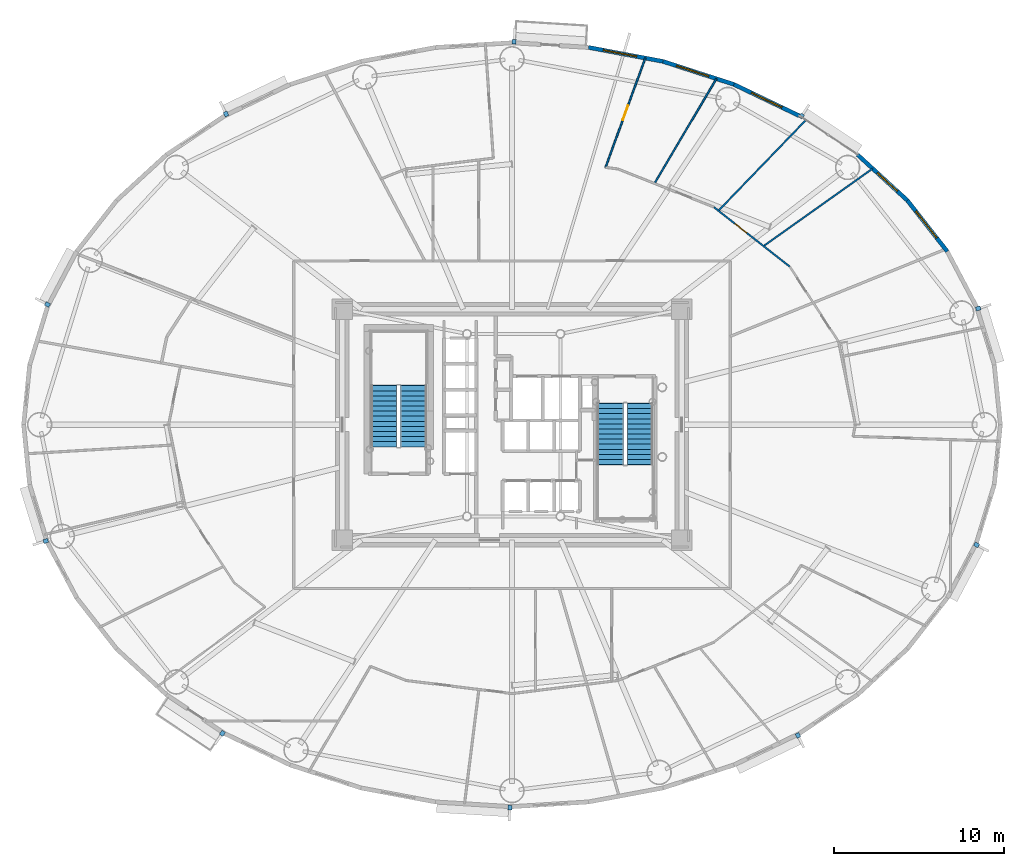
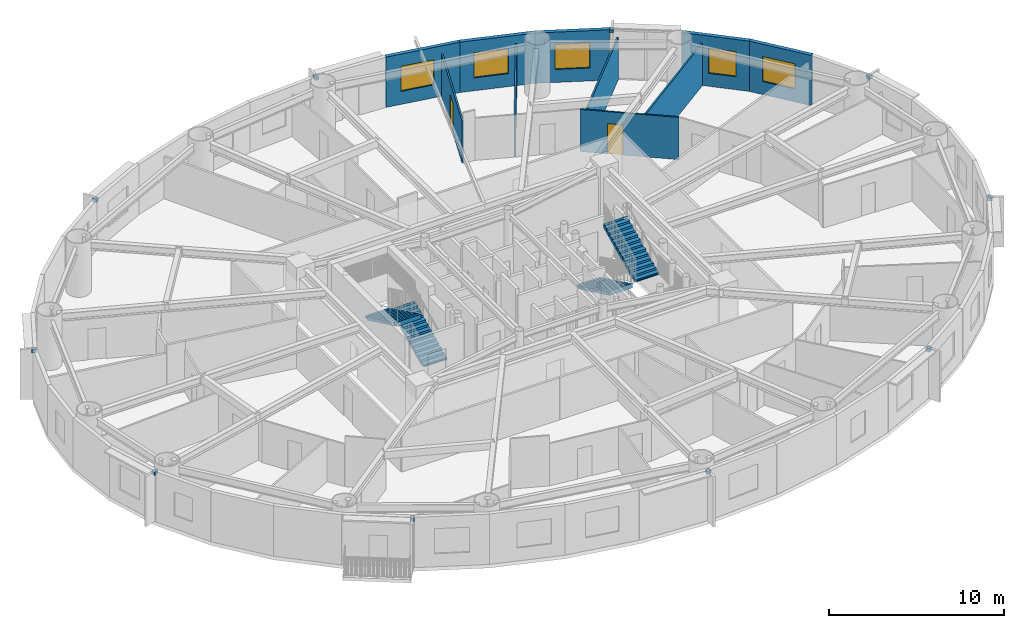
# One storey, part 16 of 22: 10 discrete accessories, 10 walls, 5 windows, 4 stair flights, 2 doors, 7 openings, 2 elements without a shape of their own.
"""IFC4 building model written with IfcOpenShell, lengths in metres."""

from ifc_helpers import new_model, si_unit, direction, frame, frame_2d, origin, origin_2d, place, context, subcontext, project, spatial, polyline, rectangle, outline, extrude, source, transform, mapped, material, layer, layer_set, type_object, element, fill, aggregate, save


model = new_model("IFC4")

# Units and contexts
model_context = context("Model", 3, precision=1e-05, world=origin(), true_north=direction((0.0, 1.0)))
body_context = subcontext(model_context, "Body", "Model", "MODEL_VIEW")
ifc_project = project(units=[si_unit("LENGTHUNIT", "METRE"), si_unit("AREAUNIT", "SQUARE_METRE"), si_unit("VOLUMEUNIT", "CUBIC_METRE"), si_unit("PLANEANGLEUNIT", "RADIAN"), si_unit("MASSUNIT", "GRAM", prefix="KILO")], contexts=[model_context])

# Site, building, storey
site_placement = place(None, origin())
site = spatial("IfcSite", under=ifc_project, at=site_placement, CompositionType="ELEMENT")
building_placement = place(site_placement, origin())
building = spatial("IfcBuilding", under=site, at=building_placement, Name="Linh Dai School and Residence Tower", CompositionType="ELEMENT")
storey_placement = place(building_placement, frame((0.0, 0.0, 130.949951171875)))
storey = spatial("IfcBuildingStorey", under=building, at=storey_placement, Name="L31", CompositionType="ELEMENT", Elevation=130.949951171875)

# Wall, opening, window
ifc_material_1 = material(Name="Precast Concrete B45 (C35/45)", Category="concrete")
ifc_layer_1 = layer(ifc_material_1, 0.239990234375)
ifc_layer_set_1 = layer_set([ifc_layer_1], Name="Precast Concrete B45 (C35/45)")
wall_type_1 = type_object("IfcWallType", Name="EW-TC-240", PredefinedType="SOLIDWALL", material=ifc_layer_set_1)
wall_1_placement = place(storey_placement, frame((59.2890625, 40.216552734375, 0.0), z_axis=(0.0, 0.0, 1.0), x_axis=(0.616272103517, -0.787533297345, 0.0)))
wall_1 = element("IfcWall", 1, at=wall_1_placement, inside=storey, type_object=wall_type_1, Name="L31 Terracotta Exterior Wall 04", PredefinedType="SOLIDWALL", context=body_context, shape_type="SweptSolid", body=[
    extrude(rectangle(XDim=3.8232421875, YDim=0.239990234375, at=frame_2d((1.91162109375, 0.0))), origin(), (0.0, 0.0, 1.0), 3.5),
])
opening_1_placement = place(wall_1_placement, frame((0.81396484375, 0.0, 0.89990234375)))
opening_1 = element("IfcOpeningElement", 2, at=opening_1_placement, cuts=wall_1, Name="Opening W1", PredefinedType="OPENING", context=body_context, shape_type="SweptSolid", body=[
    extrude(rectangle(XDim=2.0, YDim=1.75, at=origin_2d()), frame((1.0, 0.1298828125, 0.875), z_axis=(0.0, -1.0, 0.0), x_axis=(1.0, 0.0, 0.0)), (0.0, 0.0, 1.0), 0.260009765625),
])
ifc_material_2 = material(Name="Double Low-E Insulated Glazing", Category="glass")
window_type_1 = type_object("IfcWindowType", Name="WN-RES-2000x1750", PartitioningType="DOUBLE_PANEL_VERTICAL", PredefinedType="WINDOW", material=ifc_material_2)
shared_shape_1 = source(origin(), body_context, "Body", "SweptSolid", [
    extrude(rectangle(XDim=2.0, YDim=1.75, at=origin_2d()), frame((1.0, 0.030029296875, 0.875), z_axis=(0.0, -1.0, 0.0), x_axis=(1.0, 0.0, 0.0)), (0.0, 0.0, 1.0), 0.06005859375),
])
window_1_placement = place(opening_1_placement, origin())
window_1 = element("IfcWindow", 3, at=window_1_placement, inside=storey, type_object=window_type_1, Name="L31 Exterior Window 04.1", OverallHeight=1.75, OverallWidth=2.0, PartitioningType="DOUBLE_PANEL_VERTICAL", PredefinedType="WINDOW", context=body_context, shape_type="MappedRepresentation", body=[
    mapped(shared_shape_1, transform((0.0, 0.0, 0.0), x_axis=(1.0, 0.0, 0.0), y_axis=(0.0, 1.0, 0.0), z_axis=(0.0, 0.0, 1.0), scale=1.0)),
])
fill(opening_1, window_1)

wall_2_placement = place(storey_placement, frame((56.3583984375, 42.9033203125, 0.0), z_axis=(0.0, 0.0, 1.0), x_axis=(0.737113356241, -0.675769117414, 0.0)))
wall_2 = element("IfcWall", 4, at=wall_2_placement, inside=storey, type_object=wall_type_1, Name="L31 Terracotta Exterior Wall 05", PredefinedType="SOLIDWALL", context=body_context, shape_type="SweptSolid", body=[
    extrude(rectangle(XDim=3.975830078125, YDim=0.239990234375, at=frame_2d((1.98779296875, 0.0))), origin(), (0.0, 0.0, 1.0), 3.5),
])
opening_2_placement = place(wall_2_placement, frame((1.58251953125, 0.0, 0.89990234375)))
opening_2 = element("IfcOpeningElement", 5, at=opening_2_placement, cuts=wall_2, Name="Opening W2", PredefinedType="OPENING", context=body_context, shape_type="SweptSolid", body=[
    extrude(rectangle(XDim=1.60009765625, YDim=1.75, at=origin_2d()), frame((0.800048828125, 0.1298828125, 0.875), z_axis=(0.0, -1.0, 0.0), x_axis=(1.0, 0.0, 0.0)), (0.0, 0.0, 1.0), 0.260009765625),
])
window_type_2 = type_object("IfcWindowType", Name="WN-RES-1600x1750", PartitioningType="DOUBLE_PANEL_VERTICAL", PredefinedType="WINDOW", material=ifc_material_2)
shared_shape_2 = source(origin(), body_context, "Body", "SweptSolid", [
    extrude(rectangle(XDim=1.60009765625, YDim=1.75, at=origin_2d()), frame((0.800048828125, 0.030029296875, 0.875), z_axis=(0.0, -1.0, 0.0), x_axis=(1.0, 0.0, 0.0)), (0.0, 0.0, 1.0), 0.06005859375),
])
window_2_placement = place(opening_2_placement, origin())
window_2 = element("IfcWindow", 6, at=window_2_placement, inside=storey, type_object=window_type_2, Name="L31 Exterior Window 05.1", OverallHeight=1.75, OverallWidth=1.60009765625, PartitioningType="DOUBLE_PANEL_VERTICAL", PredefinedType="WINDOW", context=body_context, shape_type="MappedRepresentation", body=[
    mapped(shared_shape_2, transform((0.0, 0.0, 0.0), x_axis=(1.0, 0.0, 0.0), y_axis=(0.0, 1.0, 0.0), z_axis=(0.0, 0.0, 1.0), scale=1.0)),
])
fill(opening_2, window_2)

wall_3_placement = place(storey_placement, frame((49.073974609375, 47.04736328125, 0.0), z_axis=(0.0, 0.0, 1.0), x_axis=(0.901589935876, -0.432591709962, 0.0)))
wall_3 = element("IfcWall", 7, at=wall_3_placement, inside=storey, type_object=wall_type_1, Name="L31 Terracotta Exterior Wall 07", PredefinedType="SOLIDWALL", context=body_context, shape_type="SweptSolid", body=[
    extrude(rectangle(XDim=4.271728515625, YDim=0.239990234375, at=frame_2d((2.1357421875, 0.0))), origin(), (0.0, 0.0, 1.0), 3.5),
])
opening_3_placement = place(wall_3_placement, frame((1.1357421875, 0.0, 0.89990234375)))
opening_3 = element("IfcOpeningElement", 8, at=opening_3_placement, cuts=wall_3, Name="Opening W1", PredefinedType="OPENING", context=body_context, shape_type="SweptSolid", body=[
    extrude(rectangle(XDim=2.0, YDim=1.75, at=origin_2d()), frame((1.0, 0.1298828125, 0.875), z_axis=(0.0, -1.0, 0.0), x_axis=(1.0, 0.0, 0.0)), (0.0, 0.0, 1.0), 0.260009765625),
])
window_3_placement = place(opening_3_placement, origin())
window_3 = element("IfcWindow", 9, at=window_3_placement, inside=storey, type_object=window_type_1, Name="L31 Exterior Window 07.1", OverallHeight=1.75, OverallWidth=2.0, PartitioningType="DOUBLE_PANEL_VERTICAL", PredefinedType="WINDOW", context=body_context, shape_type="MappedRepresentation", body=[
    mapped(shared_shape_1, transform((0.0, 0.0, 0.0), x_axis=(1.0, 0.0, 0.0), y_axis=(0.0, 1.0, 0.0), z_axis=(0.0, 0.0, 1.0), scale=1.0)),
])
fill(opening_3, window_3)

wall_4_placement = place(storey_placement, frame((44.899658203125, 48.4013671875, 0.0), z_axis=(0.0, 0.0, 1.0), x_axis=(0.951211346073, -0.308540070495, 0.0)))
wall_4 = element("IfcWall", 10, at=wall_4_placement, inside=storey, type_object=wall_type_1, Name="L31 Terracotta Exterior Wall 08", PredefinedType="SOLIDWALL", context=body_context, shape_type="SweptSolid", body=[
    extrude(rectangle(XDim=4.388427734375, YDim=0.239990234375, at=frame_2d((2.1943359375, 0.0))), origin(), (0.0, 0.0, 1.0), 3.5),
])
opening_4_placement = place(wall_4_placement, frame((0.830322265625, 0.0, 0.89990234375)))
opening_4 = element("IfcOpeningElement", 11, at=opening_4_placement, cuts=wall_4, Name="Opening W1", PredefinedType="OPENING", context=body_context, shape_type="SweptSolid", body=[
    extrude(rectangle(XDim=2.0, YDim=1.75, at=origin_2d()), frame((1.0, 0.1298828125, 0.875), z_axis=(0.0, -1.0, 0.0), x_axis=(1.0, 0.0, 0.0)), (0.0, 0.0, 1.0), 0.260009765625),
])
window_4_placement = place(opening_4_placement, origin())
window_4 = element("IfcWindow", 12, at=window_4_placement, inside=storey, type_object=window_type_1, Name="L31 Exterior Window 08.1", OverallHeight=1.75, OverallWidth=2.0, PartitioningType="DOUBLE_PANEL_VERTICAL", PredefinedType="WINDOW", context=body_context, shape_type="MappedRepresentation", body=[
    mapped(shared_shape_1, transform((0.0, 0.0, 0.0), x_axis=(1.0, 0.0, 0.0), y_axis=(0.0, 1.0, 0.0), z_axis=(0.0, 0.0, 1.0), scale=1.0)),
])
fill(opening_4, window_4)

wall_5_placement = place(storey_placement, frame((40.505615234375, 49.227294921875, 0.0), z_axis=(0.0, 0.0, 1.0), x_axis=(0.982789252177, -0.184730305596, 0.0)))
wall_5 = element("IfcWall", 13, at=wall_5_placement, inside=storey, type_object=wall_type_1, Name="L31 Terracotta Exterior Wall 09", PredefinedType="SOLIDWALL", context=body_context, shape_type="SweptSolid", body=[
    extrude(rectangle(XDim=4.470947265625, YDim=0.239990234375, at=frame_2d((2.2353515625, 0.0))), origin(), (0.0, 0.0, 1.0), 3.5),
])
opening_5_placement = place(wall_5_placement, frame((0.886474609375, 0.0, 0.89990234375)))
opening_5 = element("IfcOpeningElement", 14, at=opening_5_placement, cuts=wall_5, Name="Opening W1", PredefinedType="OPENING", context=body_context, shape_type="SweptSolid", body=[
    extrude(rectangle(XDim=2.0, YDim=1.75, at=origin_2d()), frame((1.0, 0.1298828125, 0.875), z_axis=(0.0, -1.0, 0.0), x_axis=(1.0, 0.0, 0.0)), (0.0, 0.0, 1.0), 0.260009765625),
])
window_5_placement = place(opening_5_placement, origin())
window_5 = element("IfcWindow", 15, at=window_5_placement, inside=storey, type_object=window_type_1, Name="L31 Exterior Window 09.1", OverallHeight=1.75, OverallWidth=2.0, PartitioningType="DOUBLE_PANEL_VERTICAL", PredefinedType="WINDOW", context=body_context, shape_type="MappedRepresentation", body=[
    mapped(shared_shape_1, transform((0.0, 0.0, 0.0), x_axis=(1.0, 0.0, 0.0), y_axis=(0.0, 1.0, 0.0), z_axis=(0.0, 0.0, 1.0), scale=1.0)),
])
fill(opening_5, window_5)

# Wall, opening, door
ifc_material_3 = material(Name="Gypsum Plasterboard Acoustic Stud Partition", Category="masonry")
ifc_layer_2 = layer(ifc_material_3, 0.10009765625)
ifc_layer_set_2 = layer_set([ifc_layer_2], Name="Gypsum Plasterboard Acoustic Stud Partition")
wall_type_2 = type_object("IfcWallType", Name="IW-UNIT-100", PredefinedType="PARTITIONING", material=ifc_layer_set_2)
wall_6_placement = place(storey_placement, frame((41.510986328125, 42.157470703125, 0.0), z_axis=(0.0, 0.0, 1.0), x_axis=(0.341680179237, 0.939816287961, 0.0)))
wall_6 = element("IfcWall", 16, at=wall_6_placement, inside=storey, type_object=wall_type_2, Name="L31 Interior Partition Wall 070", PredefinedType="PARTITIONING", context=body_context, shape_type="SweptSolid", body=[
    extrude(rectangle(XDim=6.858154296875, YDim=0.10009765625, at=frame_2d((3.42919921875, 0.0))), origin(), (0.0, 0.0, 1.0), 2.93505859375),
])
opening_6_placement = place(wall_6_placement, frame((2.97900390625, 0.0, 0.0)))
opening_6 = element("IfcOpeningElement", 17, at=opening_6_placement, cuts=wall_6, Name="Opening D05", PredefinedType="OPENING", context=body_context, shape_type="SweptSolid", body=[
    extrude(rectangle(XDim=0.89990234375, YDim=2.10009765625, at=origin_2d()), frame((0.449951171875, 0.06005859375, 1.050048828125), z_axis=(0.0, -1.0, 0.0), x_axis=(1.0, 0.0, 0.0)), (0.0, 0.0, 1.0), 0.1201171875),
])
ifc_material_4 = material(Name="Engineered Timber Internal Door", Category="wood")
door_type = type_object("IfcDoorType", Name="DR-INT-900x2100", OperationType="NOTDEFINED", PredefinedType="DOOR", material=ifc_material_4)
shared_shape_3 = source(origin(), body_context, "Body", "SweptSolid", [
    extrude(rectangle(XDim=0.89990234375, YDim=2.10009765625, at=origin_2d()), frame((0.449951171875, 0.02490234375, 1.050048828125), z_axis=(0.0, -1.0, 0.0), x_axis=(1.0, 0.0, 0.0)), (0.0, 0.0, 1.0), 0.050048828125),
])
door_1_placement = place(opening_6_placement, origin())
door_1 = element("IfcDoor", 18, at=door_1_placement, inside=storey, type_object=door_type, Name="L31 Apartment U3103 Study Door", OperationType="SINGLE_SWING_LEFT", OverallHeight=2.10009765625, OverallWidth=0.89990234375, PredefinedType="DOOR", context=body_context, shape_type="MappedRepresentation", body=[
    mapped(shared_shape_3, transform((0.0, 0.0, 0.0), x_axis=(1.0, 0.0, 0.0), y_axis=(0.0, 1.0, 0.0), z_axis=(0.0, 0.0, 1.0), scale=1.0)),
])
fill(opening_6, door_1)

# Wall
wall_7_placement = place(storey_placement, frame((44.393798828125, 41.2109375, 0.0), z_axis=(0.0, 0.0, 1.0), x_axis=(0.508542397454, 0.861036950422, 0.0)))
element("IfcWall", 19, at=wall_7_placement, inside=storey, type_object=wall_type_2, Name="L31 Interior Partition Wall 075", PredefinedType="PARTITIONING", context=body_context, shape_type="SweptSolid", body=[
    extrude(rectangle(XDim=7.17333984375, YDim=0.10009765625, at=frame_2d((3.586669921875, 0.0))), origin(), (0.0, 0.0, 1.0), 2.93505859375),
])

# Wall, opening, door
wall_8_placement = place(storey_placement, frame((47.890869140625, 39.815673828125, 0.0), z_axis=(0.0, 0.0, 1.0), x_axis=(0.787345480673, -0.616512038864, 0.0)))
wall_8 = element("IfcWall", 20, at=wall_8_placement, inside=storey, type_object=wall_type_2, Name="L31 Interior Partition Wall 079", PredefinedType="PARTITIONING", context=body_context, shape_type="SweptSolid", body=[
    extrude(rectangle(XDim=5.68505859375, YDim=0.10009765625, at=frame_2d((2.842529296875, 0.0))), origin(), (0.0, 0.0, 1.0), 2.93505859375),
])
opening_7_placement = place(wall_8_placement, frame((1.580078125, 0.0, 0.0)))
opening_7 = element("IfcOpeningElement", 21, at=opening_7_placement, cuts=wall_8, Name="Opening D05", PredefinedType="OPENING", context=body_context, shape_type="SweptSolid", body=[
    extrude(rectangle(XDim=0.89990234375, YDim=2.10009765625, at=origin_2d()), frame((0.449951171875, 0.06005859375, 1.050048828125), z_axis=(0.0, -1.0, 0.0), x_axis=(1.0, 0.0, 0.0)), (0.0, 0.0, 1.0), 0.1201171875),
])
door_2_placement = place(opening_7_placement, origin())
door_2 = element("IfcDoor", 22, at=door_2_placement, inside=storey, type_object=door_type, Name="L31 Apartment U3103 Study Door", OperationType="SINGLE_SWING_LEFT", OverallHeight=2.10009765625, OverallWidth=0.89990234375, PredefinedType="DOOR", context=body_context, shape_type="MappedRepresentation", body=[
    mapped(shared_shape_3, transform((0.0, 0.0, 0.0), x_axis=(1.0, 0.0, 0.0), y_axis=(0.0, 1.0, 0.0), z_axis=(0.0, 0.0, 1.0), scale=1.0)),
])
fill(opening_7, door_2)

# Walls
wall_9_placement = place(storey_placement, frame((48.15966796875, 39.60498046875, 0.0), z_axis=(0.0, 0.0, 1.0), x_axis=(0.694278615756, 0.719706331571, 0.0)))
element("IfcWall", 23, at=wall_9_placement, inside=storey, type_object=wall_type_2, Name="L31 Interior Partition Wall 080", PredefinedType="PARTITIONING", context=body_context, shape_type="SweptSolid", body=[
    extrude(rectangle(XDim=7.421875, YDim=0.10009765625, at=frame_2d((3.7109375, 0.0))), origin(), (0.0, 0.0, 1.0), 2.93505859375),
])
wall_10_placement = place(storey_placement, frame((50.818603515625, 37.52294921875, 0.0), z_axis=(0.0, 0.0, 1.0), x_axis=(0.815321486624, 0.579008526233, 0.0)))
element("IfcWall", 24, at=wall_10_placement, inside=storey, type_object=wall_type_2, Name="L31 Interior Partition Wall 084", PredefinedType="PARTITIONING", context=body_context, shape_type="SweptSolid", body=[
    extrude(rectangle(XDim=7.889892578125, YDim=0.10009765625, at=frame_2d((3.94482421875, 0.0))), origin(), (0.0, 0.0, 1.0), 2.93505859375),
])

# Stair, stair flights
ifc_material_5 = material(Name="Concrete B45 (C35/45)", Category="concrete")
stair_type = type_object("IfcStairType", Name="ST-DOG-1550-R1442", PredefinedType="HALF_TURN_STAIR", material=ifc_material_5)
stair_1_placement = place(storey_placement, origin())
stair_1 = element("IfcStair", 25, at=stair_1_placement, inside=storey, type_object=stair_type, Name="L31 Core Smokeproof Exit Stair ST1", PredefinedType="HALF_TURN_STAIR")
stair_flight_type = type_object("IfcStairFlightType", Name="STF-STR-1550-R1442", PredefinedType="STRAIGHT", material=ifc_material_5)
shared_shape_4 = source(origin(), body_context, "Body", "SweptSolid", [
    extrude(outline(polyline([(-0.02490234375, 0.0), (-0.02490234375, 0.06005859375), (0.0, 0.06005859375), (0.0, 0.144287109375), (0.300048828125, 0.144287109375), (0.300048828125, 0.28857421875), (0.60009765625, 0.28857421875), (0.60009765625, 0.4326171875), (0.89990234375, 0.4326171875), (0.89990234375, 0.576904296875), (1.199951171875, 0.576904296875), (1.199951171875, 0.72119140625), (1.5, 0.72119140625), (1.5, 0.865478515625), (1.800048828125, 0.865478515625), (1.800048828125, 1.009521484375), (2.10009765625, 1.009521484375), (2.10009765625, 1.15380859375), (2.39990234375, 1.15380859375), (2.39990234375, 1.298095703125), (2.699951171875, 1.298095703125), (2.699951171875, 1.4423828125), (3.0, 1.4423828125), (3.0, 1.58642578125), (3.300048828125, 1.58642578125), (3.300048828125, 1.730712890625), (3.60009765625, 1.730712890625), (3.60009765625, 1.875), (3.625, 1.875), (3.625, 1.564453125), (3.60009765625, 1.564453125), (0.345947265625, 0.0), (-0.02490234375, 0.0)])), frame((0.0, 0.77490234375, 0.0), z_axis=(0.0, -1.0, 0.0), x_axis=(1.0, 0.0, 0.0)), (0.0, 0.0, 1.0), 1.550048828125),
])
stair_flight_1_placement = place(storey_placement, frame((30.205078125, 25.699951171875, 0.0), z_axis=(0.0, 0.0, 1.0), x_axis=(0.0, 1.0, 0.0)))
stair_flight_1 = element("IfcStairFlight", 26, at=stair_flight_1_placement, type_object=stair_flight_type, Name="ST1 flight 1", NumberOfRisers=13, NumberOfTreads=12, PredefinedType="STRAIGHT", RiserHeight=0.144230769, TreadLength=0.3, context=body_context, shape_type="MappedRepresentation", body=[
    mapped(shared_shape_4, transform((0.0, 0.0, 0.0), x_axis=(1.0, 0.0, 0.0), y_axis=(0.0, 1.0, 0.0), z_axis=(0.0, 0.0, 1.0), scale=1.0)),
])
stair_flight_2_placement = place(storey_placement, frame((28.455078125, 29.300048828125, 1.875), z_axis=(0.0, 0.0, 1.0), x_axis=(0.0, -1.0, 0.0)))
stair_flight_2 = element("IfcStairFlight", 27, at=stair_flight_2_placement, type_object=stair_flight_type, Name="ST1 flight 2", NumberOfRisers=13, NumberOfTreads=12, PredefinedType="STRAIGHT", RiserHeight=0.144230769, TreadLength=0.3, context=body_context, shape_type="MappedRepresentation", body=[
    mapped(shared_shape_4, transform((0.0, 0.0, 0.0), x_axis=(1.0, 0.0, 0.0), y_axis=(0.0, 1.0, 0.0), z_axis=(0.0, 0.0, 1.0), scale=1.0)),
])
aggregate(stair_1, [stair_flight_1, stair_flight_2])

stair_2_placement = place(storey_placement, origin())
stair_2 = element("IfcStair", 28, at=stair_2_placement, inside=storey, type_object=stair_type, Name="L31 Core Smokeproof Exit Stair ST2", PredefinedType="HALF_TURN_STAIR")
stair_flight_3_placement = place(storey_placement, frame((41.794921875, 28.25, 0.0), z_axis=(0.0, 0.0, 1.0), x_axis=(0.0, -1.0, 0.0)))
stair_flight_3 = element("IfcStairFlight", 29, at=stair_flight_3_placement, type_object=stair_flight_type, Name="ST2 flight 1", NumberOfRisers=13, NumberOfTreads=12, PredefinedType="STRAIGHT", RiserHeight=0.144230769, TreadLength=0.3, context=body_context, shape_type="MappedRepresentation", body=[
    mapped(shared_shape_4, transform((0.0, 0.0, 0.0), x_axis=(1.0, 0.0, 0.0), y_axis=(0.0, 1.0, 0.0), z_axis=(0.0, 0.0, 1.0), scale=1.0)),
])
stair_flight_4_placement = place(storey_placement, frame((43.544921875, 24.64990234375, 1.875), z_axis=(0.0, 0.0, 1.0), x_axis=(0.0, 1.0, 0.0)))
stair_flight_4 = element("IfcStairFlight", 30, at=stair_flight_4_placement, type_object=stair_flight_type, Name="ST2 flight 2", NumberOfRisers=13, NumberOfTreads=12, PredefinedType="STRAIGHT", RiserHeight=0.144230769, TreadLength=0.3, context=body_context, shape_type="MappedRepresentation", body=[
    mapped(shared_shape_4, transform((0.0, 0.0, 0.0), x_axis=(1.0, 0.0, 0.0), y_axis=(0.0, 1.0, 0.0), z_axis=(0.0, 0.0, 1.0), scale=1.0)),
])
aggregate(stair_2, [stair_flight_3, stair_flight_4])

# Discrete accessories
ifc_material_6 = material(Name="Structural Steel S355JR", Category="steel")
discrete_accessory_type = type_object("IfcDiscreteAccessoryType", Name="ACC-BRK-S355", PredefinedType="BRACKET", material=ifc_material_6)
shared_shape_5 = source(origin(), body_context, "Body", "SweptSolid", [
    extrude(rectangle(XDim=0.280029296875, YDim=0.239990234375, at=origin_2d()), origin(), (0.0, 0.0, 1.0), 0.219970703125),
])
for number, where, z_axis, x_axis, name in (
    (31, (63.462646484375, 33.847900390625, 3.25), (0.0, 0.0, 1.0), (0.956071511028, 0.293133528962, 0.0), "L31 Facade Frame Anchor Bracket 02"),
    (32, (53.058349609375, 45.1826171875, 3.25), (0.0, 0.0, 1.0), (0.555913198527, 0.831240347736, 0.0), "L31 Facade Frame Anchor Bracket 06"),
    (33, (36.12353515625, 49.5576171875, 3.25), (0.0, 0.0, 1.0), (0.061509255091, 0.998106513123, 0.0), "L31 Facade Frame Anchor Bracket 10"),
    (34, (19.156982421875, 45.305419921875, 3.25), (0.0, 0.0, 1.0), (-0.432617589064, 0.901577518371, 0.0), "L31 Facade Frame Anchor Bracket 14"),
    (35, (8.633056640625, 34.079345703125, 3.25), (0.0, 0.0, 1.0), (-0.883942180016, 0.467596217252, 0.0), "L31 Facade Frame Anchor Bracket 18"),
    (36, (8.537353515625, 20.152099609375, 3.25), (0.0, 0.0, 1.0), (-0.956071511028, -0.293133528962, 0.0), "L31 Facade Frame Anchor Bracket 22"),
    (37, (18.941650390625, 8.8173828125, 3.25), (0.0, 0.0, 1.0), (-0.555913198527, -0.831240347736, 0.0), "L31 Facade Frame Anchor Bracket 26"),
    (38, (35.87646484375, 4.4423828125, 3.25), (0.0, 0.0, 1.0), (-0.061509255091, -0.998106513123, 0.0), "L31 Facade Frame Anchor Bracket 30"),
    (39, (52.843017578125, 8.694580078125, 3.25), (0.0, 0.0, 1.0), (0.432617589064, -0.901577518371, 0.0), "L31 Facade Frame Anchor Bracket 34"),
    (40, (63.366943359375, 19.920654296875, 3.25), (0.0, 0.0, 1.0), (0.883942180016, -0.467596217252, 0.0), "L31 Facade Frame Anchor Bracket 38"),
):
    element("IfcDiscreteAccessory", number, at=place(storey_placement, frame(where, z_axis=z_axis, x_axis=x_axis)), inside=storey, type_object=discrete_accessory_type, Name=name, PredefinedType="BRACKET", context=body_context, shape_type="MappedRepresentation", body=[
        mapped(shared_shape_5, transform((0.0, 0.0, 0.0), x_axis=(1.0, 0.0, 0.0), y_axis=(0.0, 1.0, 0.0), z_axis=(0.0, 0.0, 1.0), scale=1.0)),
    ])

save(model, "model.ifc")
